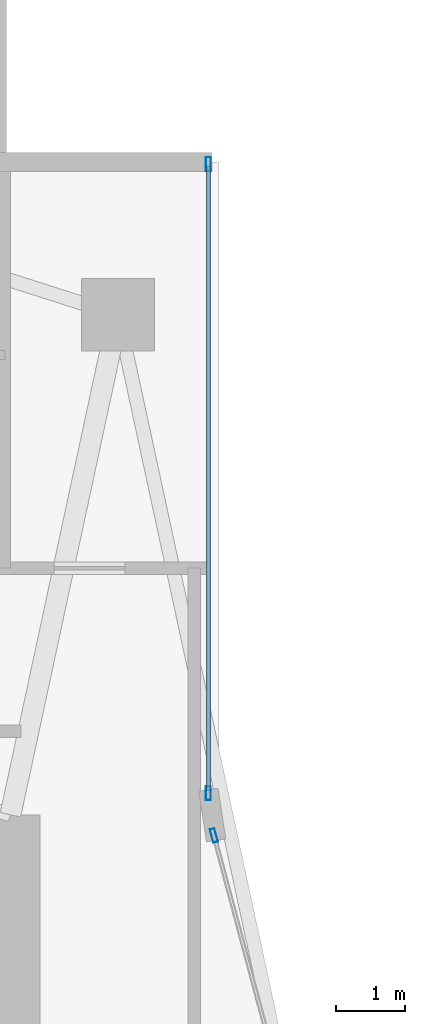
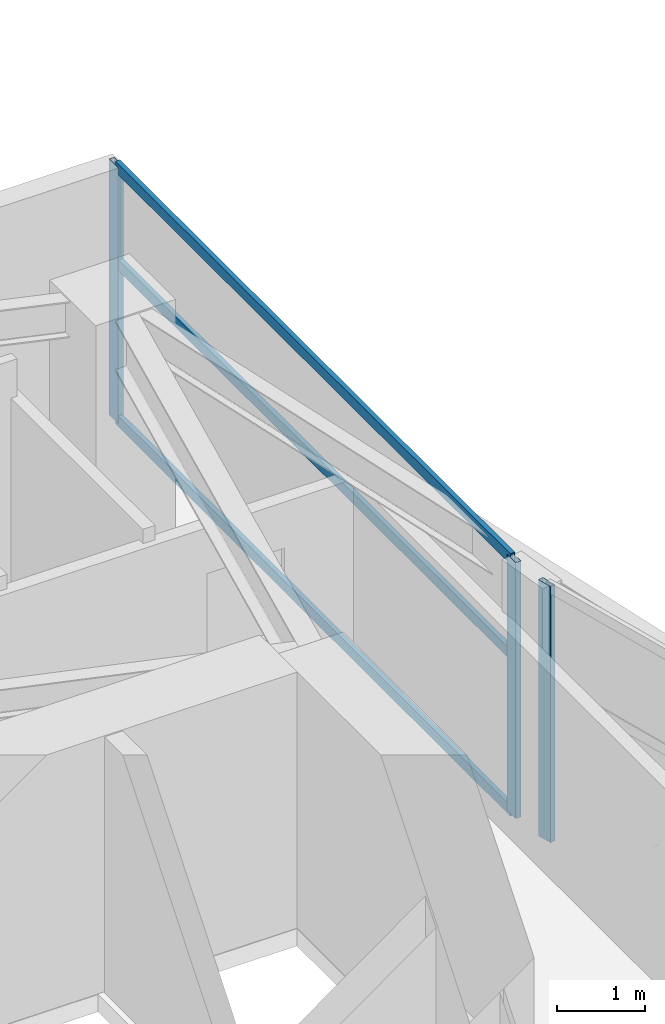
# One storey, part 18 of 28: 6 members, 2 elements without a shape of their own.
"""IFC4 building model written with IfcOpenShell, lengths in metres."""

from ifc_helpers import new_model, si_unit, direction, frame, origin, origin_2d, place, context, subcontext, project, spatial, hollow_rectangle, extrude, material, layer, layer_set, material_profile, profile_set, type_object, element, aggregate, save


model = new_model("IFC4")

# Units and contexts
model_context = context("Model", 3, precision=1e-05, world=origin(), true_north=direction((0.0, 1.0)))
body_context = subcontext(model_context, "Body", "Model", "MODEL_VIEW")
ifc_project = project(units=[si_unit("LENGTHUNIT", "METRE"), si_unit("AREAUNIT", "SQUARE_METRE"), si_unit("VOLUMEUNIT", "CUBIC_METRE"), si_unit("PLANEANGLEUNIT", "RADIAN"), si_unit("MASSUNIT", "GRAM", prefix="KILO")], contexts=[model_context])

# Site, building, storey
site_placement = place(None, origin())
site = spatial("IfcSite", under=ifc_project, at=site_placement, CompositionType="ELEMENT")
building_placement = place(site_placement, origin())
building = spatial("IfcBuilding", under=site, at=building_placement, Name="Calvorn Quay Hotel", CompositionType="ELEMENT")
storey_placement = place(building_placement, frame((0.0, 0.0, 116.39990234375)))
storey = spatial("IfcBuildingStorey", under=building, at=storey_placement, Name="L28", CompositionType="ELEMENT", Elevation=116.39990234375)

# Curtain wall, member
ifc_material_1 = material(Name="Pale Anodised Aluminium and Low-E Glass", Category="aluminium")
ifc_layer = layer(ifc_material_1, 0.219970703125)
ifc_layer_set = layer_set([ifc_layer], Name="CW-SYS-Z2")
curtain_wall_type = type_object("IfcCurtainWallType", Name="CW-SYS-Z2", PredefinedType="NOTDEFINED", material=ifc_layer_set)
curtain_wall_1_placement = place(storey_placement, origin())
curtain_wall_1 = element("IfcCurtainWall", 1, at=curtain_wall_1_placement, inside=storey, type_object=curtain_wall_type, Name="Inner Court Curtain Wall L28-IC1", PredefinedType="NOTDEFINED")
ifc_material_2 = material(Name="Pale Anodised Aluminium 6063-T6", Category="aluminium")
ifc_material_profile_1 = material_profile(ifc_material_2, hollow_rectangle(XDim=0.070068359375, YDim=0.199951171875, WallThickness=0.00390625, at=origin_2d()), Name="ALU-M200x70x4")
ifc_profile_set_1 = profile_set([ifc_material_profile_1], Name="Pale Anodised Aluminium 6063-T6")
member_type_1 = type_object("IfcMemberType", Name="CW-SYS-Z2-MUL", PredefinedType="MULLION", material=ifc_profile_set_1)
member_1_placement = place(storey_placement, frame((17.9296875, 38.10107421875, 0.0), z_axis=(0.0, 0.0, 1.0), x_axis=(-0.96593652056, -0.25877913024, 0.0)))
member_1 = element("IfcMember", 2, at=member_1_placement, type_object=member_type_1, Name="CW-L28-IC1 mullion 2", PredefinedType="MULLION", context=body_context, shape_type="SweptSolid", body=[
    extrude(hollow_rectangle(XDim=0.070068359375, YDim=0.199951171875, WallThickness=0.00390625, at=origin_2d()), origin(), (0.0, 0.0, 1.0), 3.56005859375),
])
aggregate(curtain_wall_1, [member_1])

# Curtain wall, members
curtain_wall_2_placement = place(storey_placement, origin())
curtain_wall_2 = element("IfcCurtainWall", 3, at=curtain_wall_2_placement, inside=storey, type_object=curtain_wall_type, Name="Inner Court Curtain Wall L28-IC2", PredefinedType="NOTDEFINED")
member_2_placement = place(storey_placement, frame((17.85009765625, 38.7099609375, 0.0), z_axis=(0.0, 0.0, 1.0), x_axis=(-1.0, 0.0, 0.0)))
member_2 = element("IfcMember", 4, at=member_2_placement, type_object=member_type_1, Name="CW-L28-IC2 mullion 1", PredefinedType="MULLION", context=body_context, shape_type="SweptSolid", body=[
    extrude(hollow_rectangle(XDim=0.070068359375, YDim=0.199951171875, WallThickness=0.00390625, at=origin_2d()), origin(), (0.0, 0.0, 1.0), 3.56005859375),
])
member_3_placement = place(storey_placement, frame((17.85009765625, 47.77001953125, 0.0), z_axis=(0.0, 0.0, 1.0), x_axis=(-1.0, 0.0, 0.0)))
member_3 = element("IfcMember", 5, at=member_3_placement, type_object=member_type_1, Name="CW-L28-IC2 mullion 2", PredefinedType="MULLION", context=body_context, shape_type="SweptSolid", body=[
    extrude(hollow_rectangle(XDim=0.070068359375, YDim=0.199951171875, WallThickness=0.00390625, at=origin_2d()), origin(), (0.0, 0.0, 1.0), 3.56005859375),
])
ifc_material_3 = material(Name="Pale Anodised Aluminium 6063-T6", Category="aluminium")
ifc_material_profile_2 = material_profile(ifc_material_3, hollow_rectangle(XDim=0.06005859375, YDim=0.14990234375, WallThickness=0.00341796875, at=origin_2d()), Name="ALU-T150x60x3.5")
ifc_profile_set_2 = profile_set([ifc_material_profile_2], Name="Pale Anodised Aluminium 6063-T6")
member_type_2 = type_object("IfcMemberType", Name="CW-SYS-Z2-TRN", PredefinedType="USERDEFINED", material=ifc_profile_set_2)
member_4_placement = place(storey_placement, frame((17.85009765625, 38.739990234375, 0.030029296875), z_axis=(0.0, 1.0, 0.0), x_axis=(-1.0, 0.0, 0.0)))
member_4 = element("IfcMember", 6, at=member_4_placement, type_object=member_type_2, Name="CW-L28-IC2 transom 1.1", ObjectType="TRANSOM", PredefinedType="USERDEFINED", context=body_context, shape_type="SweptSolid", body=[
    extrude(hollow_rectangle(XDim=0.06005859375, YDim=0.14990234375, WallThickness=0.00341796875, at=origin_2d()), origin(), (0.0, 0.0, 1.0), 9.0),
])
member_5_placement = place(storey_placement, frame((17.85009765625, 38.739990234375, 2.2001953125), z_axis=(0.0, 1.0, 0.0), x_axis=(-1.0, 0.0, 0.0)))
member_5 = element("IfcMember", 7, at=member_5_placement, type_object=member_type_2, Name="CW-L28-IC2 transom 1.2", ObjectType="TRANSOM", PredefinedType="USERDEFINED", context=body_context, shape_type="SweptSolid", body=[
    extrude(hollow_rectangle(XDim=0.06005859375, YDim=0.14990234375, WallThickness=0.00341796875, at=origin_2d()), origin(), (0.0, 0.0, 1.0), 9.0),
])
member_6_placement = place(storey_placement, frame((17.85009765625, 38.739990234375, 3.530029296875), z_axis=(0.0, 1.0, 0.0), x_axis=(-1.0, 0.0, 0.0)))
member_6 = element("IfcMember", 8, at=member_6_placement, type_object=member_type_2, Name="CW-L28-IC2 transom 1.3", ObjectType="TRANSOM", PredefinedType="USERDEFINED", context=body_context, shape_type="SweptSolid", body=[
    extrude(hollow_rectangle(XDim=0.06005859375, YDim=0.14990234375, WallThickness=0.00341796875, at=origin_2d()), origin(), (0.0, 0.0, 1.0), 9.0),
])
aggregate(curtain_wall_2, [member_2, member_3, member_4, member_5, member_6])

save(model, "model.ifc")
